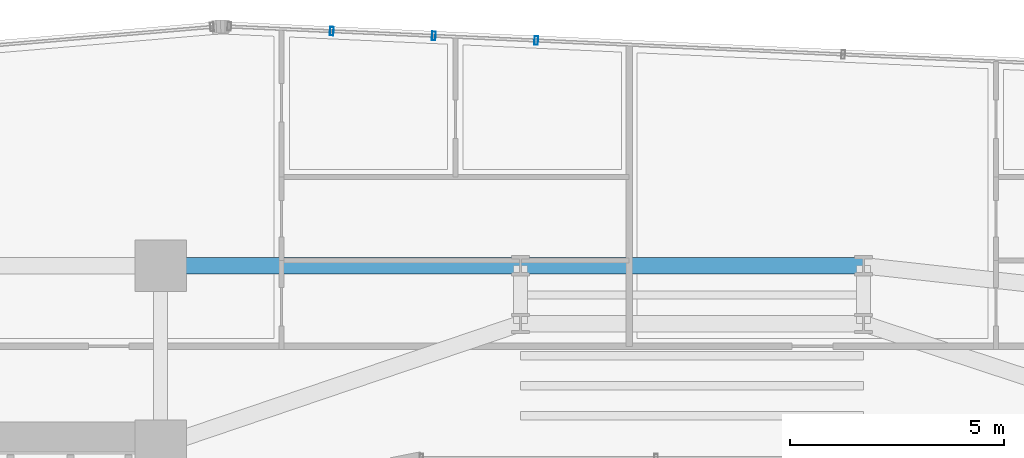
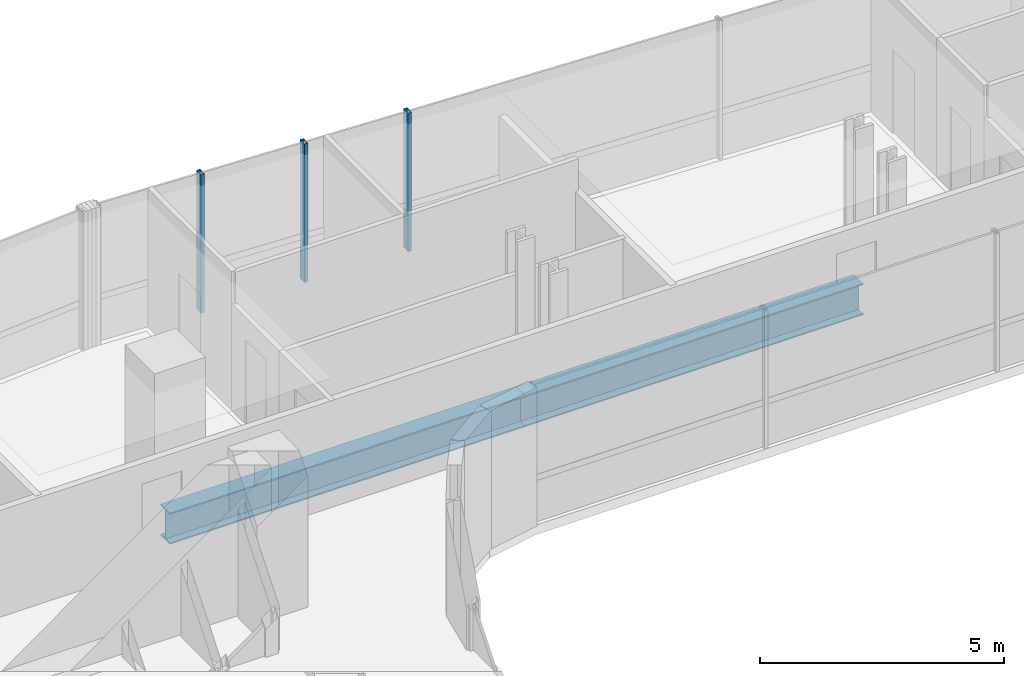
# One storey, part 20 of 36: 3 members, 2 beams, 1 element without a shape of its own.
"""IFC4 building model written with IfcOpenShell, lengths in metres."""

from ifc_helpers import new_model, si_unit, direction, frame, origin, origin_2d, place, context, subcontext, project, spatial, hollow_rectangle, i_section, extrude, source, transform, mapped, material, material_profile, profile_set, type_object, element, aggregate, save


model = new_model("IFC4")

# Units and contexts
model_context = context("Model", 3, precision=1e-05, world=origin(), true_north=direction((0.0, 1.0)))
body_context = subcontext(model_context, "Body", "Model", "MODEL_VIEW")
ifc_project = project(units=[si_unit("LENGTHUNIT", "METRE"), si_unit("AREAUNIT", "SQUARE_METRE"), si_unit("VOLUMEUNIT", "CUBIC_METRE"), si_unit("PLANEANGLEUNIT", "RADIAN"), si_unit("MASSUNIT", "GRAM", prefix="KILO")], contexts=[model_context])

# Site, building, storey
site_placement = place(None, origin())
site = spatial("IfcSite", under=ifc_project, at=site_placement, CompositionType="ELEMENT")
building_placement = place(site_placement, origin())
building = spatial("IfcBuilding", under=site, at=building_placement, Name="Valdorenza Pilgrim Sanctuary Tower", CompositionType="ELEMENT")
storey_placement = place(building_placement, frame((0.0, 0.0, 109.39990234375)))
storey = spatial("IfcBuildingStorey", under=building, at=storey_placement, Name="L27", CompositionType="ELEMENT", Elevation=109.39990234375)

# Beams
ifc_material_1 = material(Name="Steel ASTM A992 Grade 50", Category="steel")
ifc_material_profile_1 = material_profile(ifc_material_1, i_section(OverallWidth=0.382080078125, OverallDepth=0.779052734375, WebThickness=0.01806640625, FlangeThickness=0.030029296875, at=origin_2d()), Name="W30X191")
ifc_profile_set_1 = profile_set([ifc_material_profile_1], Name="Steel ASTM A992 Grade 50")
beam_type = type_object("IfcBeamType", Name="STR-BM-GRD-W30", PredefinedType="BEAM", material=ifc_profile_set_1)
shared_shape_1 = source(origin(), body_context, "Body", "SweptSolid", [
    extrude(i_section(OverallWidth=0.382080078125, OverallDepth=0.779052734375, WebThickness=0.01806640625, FlangeThickness=0.030029296875, at=origin_2d()), origin(), (0.0, 0.0, 1.0), 8.0),
])
beam_1_placement = place(storey_placement, frame((-4.0, 14.800048828125, -0.62939453125), z_axis=(1.0, 0.0, 0.0), x_axis=(0.0, 1.0, 0.0)))
element("IfcBeam", 1, at=beam_1_placement, inside=storey, type_object=beam_type, Name="L27 Floor Girder KNK-G5", PredefinedType="BEAM", context=body_context, shape_type="MappedRepresentation", body=[
    mapped(shared_shape_1, transform((0.0, 0.0, 0.0), x_axis=(1.0, 0.0, 0.0), y_axis=(0.0, 1.0, 0.0), z_axis=(0.0, 0.0, 1.0), scale=1.0)),
])
shared_shape_2 = source(origin(), body_context, "Body", "SweptSolid", [
    extrude(i_section(OverallWidth=0.382080078125, OverallDepth=0.779052734375, WebThickness=0.01806640625, FlangeThickness=0.030029296875, at=origin_2d()), origin(), (0.0, 0.0, 1.0), 8.39990234375),
])
beam_2_placement = place(storey_placement, frame((-12.39990234375, 14.800048828125, -0.62939453125), z_axis=(1.0, 0.0, 0.0), x_axis=(0.0, 1.0, 0.0)))
element("IfcBeam", 2, at=beam_2_placement, inside=storey, type_object=beam_type, Name="L27 Floor Girder KNK-G4", PredefinedType="BEAM", context=body_context, shape_type="MappedRepresentation", body=[
    mapped(shared_shape_2, transform((0.0, 0.0, 0.0), x_axis=(1.0, 0.0, 0.0), y_axis=(0.0, 1.0, 0.0), z_axis=(0.0, 0.0, 1.0), scale=1.0)),
])

# Curtain wall, members
ifc_material_2 = material(Name="Curtain-wall IGU glazing", Category="glass")
curtain_wall_type = type_object("IfcCurtainWallType", Name="CW-SYS-02", PredefinedType="NOTDEFINED", material=ifc_material_2)
curtain_wall_placement = place(storey_placement, origin())
curtain_wall = element("IfcCurtainWall", 3, at=curtain_wall_placement, inside=storey, type_object=curtain_wall_type, Name="L27 Curtain Wall CW-L27-1-11", PredefinedType="NOTDEFINED")
ifc_material_3 = material(Name="Anodised aluminium AW-6060", Category="aluminium")
ifc_material_profile_2 = material_profile(ifc_material_3, hollow_rectangle(XDim=0.0849609375, YDim=0.199951171875, WallThickness=0.0048828125, at=origin_2d()), Name="ALU-M 200x85x5")
ifc_profile_set_2 = profile_set([ifc_material_profile_2], Name="Anodised aluminium AW-6060")
member_type = type_object("IfcMemberType", Name="CW-MUL-02", PredefinedType="MULLION", material=ifc_profile_set_2)
shared_shape_3 = source(origin(), body_context, "Body", "SweptSolid", [
    extrude(hollow_rectangle(XDim=0.0849609375, YDim=0.199951171875, WallThickness=0.0048828125, at=origin_2d()), origin(), (0.0, 0.0, 1.0), 3.460205078125),
])
member_1_placement = place(storey_placement, frame((-3.6337890625, 20.05517578125, 0.0), z_axis=(0.0, 0.0, 1.0), x_axis=(0.998968193221, -0.045415294044, 0.0)))
member_1 = element("IfcMember", 4, at=member_1_placement, type_object=member_type, Name="CW-L27-1-11 Mullion 2", PredefinedType="MULLION", context=body_context, shape_type="MappedRepresentation", body=[
    mapped(shared_shape_3, transform((0.0, 0.0, 0.0), x_axis=(1.0, 0.0, 0.0), y_axis=(0.0, 1.0, 0.0), z_axis=(0.0, 0.0, 1.0), scale=1.0)),
])
member_2_placement = place(storey_placement, frame((-8.405029296875, 20.27197265625, 0.0), z_axis=(0.0, 0.0, 1.0), x_axis=(0.998968193221, -0.045415294044, 0.0)))
member_2 = element("IfcMember", 5, at=member_2_placement, type_object=member_type, Name="CW-L27-1-11 Sub-Mullion 51-1", PredefinedType="MULLION", context=body_context, shape_type="MappedRepresentation", body=[
    mapped(shared_shape_3, transform((0.0, 0.0, 0.0), x_axis=(1.0, 0.0, 0.0), y_axis=(0.0, 1.0, 0.0), z_axis=(0.0, 0.0, 1.0), scale=1.0)),
])
member_3_placement = place(storey_placement, frame((-6.0244140625, 20.163818359375, 0.0), z_axis=(0.0, 0.0, 1.0), x_axis=(0.998968193221, -0.045415294044, 0.0)))
member_3 = element("IfcMember", 6, at=member_3_placement, type_object=member_type, Name="CW-L27-1-11 Sub-Mullion 51-2", PredefinedType="MULLION", context=body_context, shape_type="MappedRepresentation", body=[
    mapped(shared_shape_3, transform((0.0, 0.0, 0.0), x_axis=(1.0, 0.0, 0.0), y_axis=(0.0, 1.0, 0.0), z_axis=(0.0, 0.0, 1.0), scale=1.0)),
])
aggregate(curtain_wall, [member_1, member_2, member_3])

save(model, "model.ifc")
